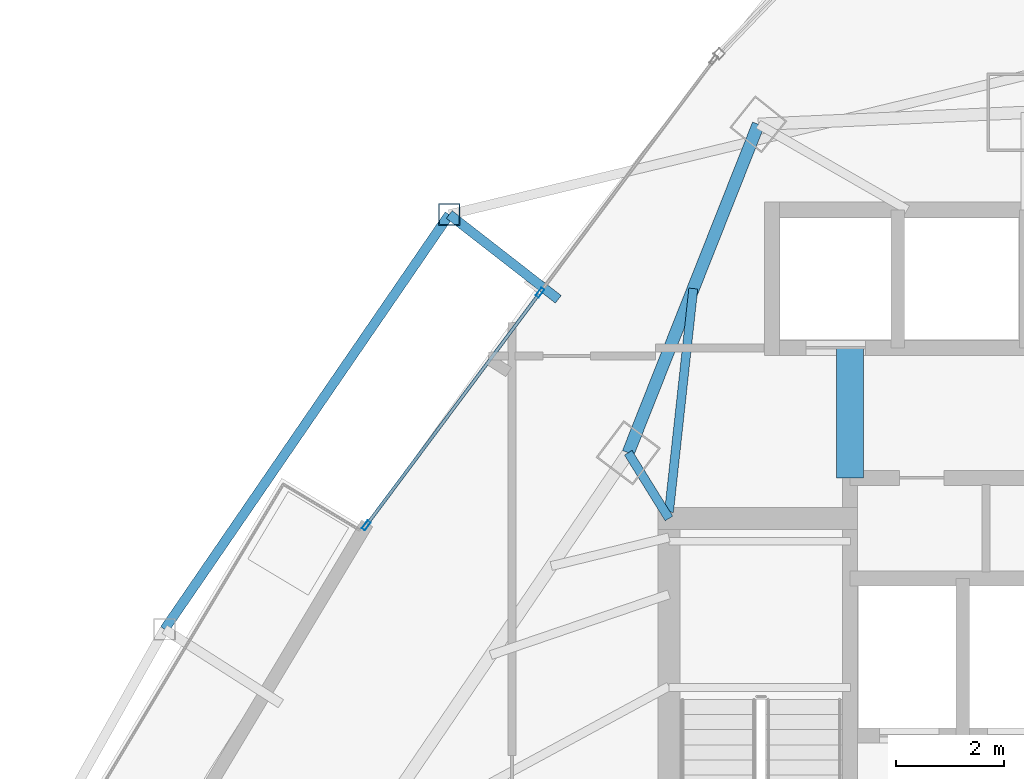
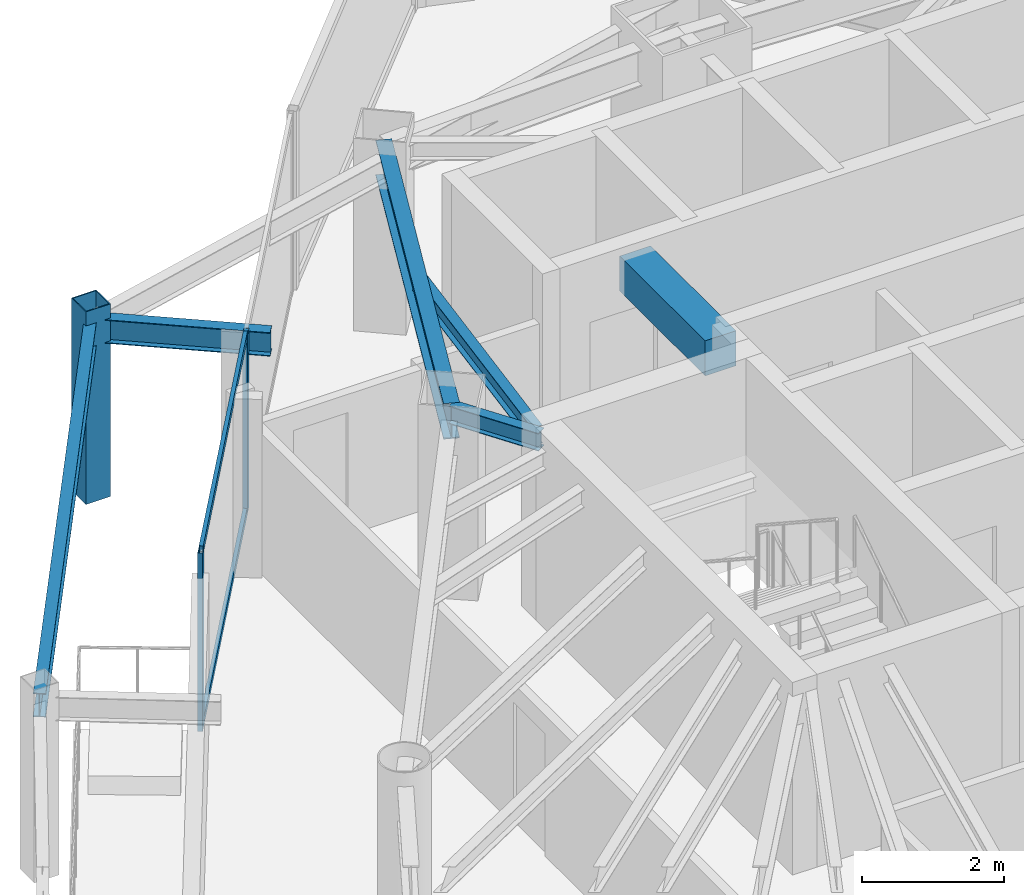
# One storey, part 19 of 29: 6 beams, 5 members, 1 element without a shape of its own.
"""IFC4 building model written with IfcOpenShell, lengths in metres."""

import ifcopenshell
import ifcopenshell.guid

model = None  # the IFC model being written
_history = None  # IfcOwnerHistory: only IFC2X3 demands one
_inside = {}  # id of a spatial element -> (the spatial element, [elements in it])
_under = {}  # id of a project, library or spatial element -> (it, [spatial elements below it])
_declared = {}  # id of a project -> (the project, [libraries it declares])
_typed = {}  # id of a type object -> (the type object, [elements of that type])
_made_of = {}  # id of a material, layer set ... -> (it, [elements and type objects made of it])


def new_model(schema):
    """Start an empty IFC model of exactly this schema.

    Asked for "IFC4X3", IfcOpenShell would pick the latest addendum, in which some entities
    have other attributes; the version numbers below select the first issue.
    IFC2X3 requires an IfcOwnerHistory on every rooted entity: one is made here for all.
    """
    global model, _history
    if schema == "IFC4X3":
        model = ifcopenshell.file(schema_version=(4, 3, 0, 0))
    else:
        model = ifcopenshell.file(schema=schema)
    _inside.clear()
    _under.clear()
    _declared.clear()
    _typed.clear()
    _made_of.clear()
    _history = None
    if model.schema == "IFC2X3":
        org = make("IfcOrganization", Name="unknown")
        user = make(
            "IfcPersonAndOrganization",
            ThePerson=make("IfcPerson", FamilyName="unknown"),
            TheOrganization=org,
        )
        app = make(
            "IfcApplication",
            ApplicationDeveloper=org,
            Version="unknown",
            ApplicationFullName="unknown",
            ApplicationIdentifier="unknown",
        )
        _history = make(
            "IfcOwnerHistory",
            OwningUser=user,
            OwningApplication=app,
            ChangeAction="ADDED",
            CreationDate=0,
        )
    return model


def make(cls, **values):
    """One entity of the class cls with the attributes given. An attribute that is None is left unset."""
    return model.create_entity(
        cls, **{name: value for name, value in values.items() if value is not None}
    )


def rooted(cls, **values):
    """An entity with a GlobalId (a new one), such as an element, a storey or a relation."""
    return make(cls, GlobalId=ifcopenshell.guid.new(), OwnerHistory=_history, **values)


def si_unit(unit_type, name, prefix=None):
    """IfcSIUnit, for example si_unit("LENGTHUNIT", "METRE", prefix="MILLI")."""
    return make("IfcSIUnit", UnitType=unit_type, Prefix=prefix, Name=name)


def assignment(units):
    """IfcUnitAssignment: the units of a project."""
    return None if units is None else make("IfcUnitAssignment", Units=units)


def point(xyz):
    """IfcCartesianPoint."""
    return None if xyz is None else make("IfcCartesianPoint", Coordinates=xyz)


def direction(xyz):
    """IfcDirection."""
    return None if xyz is None else make("IfcDirection", DirectionRatios=xyz)


def frame(location, z_axis=None, x_axis=None):
    """IfcAxis2Placement3D, a coordinate frame: its origin and axes. An axis left out is left unset."""
    return make(
        "IfcAxis2Placement3D",
        Location=point(location),
        Axis=direction(z_axis),
        RefDirection=direction(x_axis),
    )


def frame_2d(location, x_axis=None):
    """IfcAxis2Placement2D, a coordinate frame in the plane: its origin and x axis."""
    return make(
        "IfcAxis2Placement2D", Location=point(location), RefDirection=direction(x_axis)
    )


def origin():
    """The frame at (0, 0, 0) with its axes left unset."""
    return frame((0.0, 0.0, 0.0))


def origin_2d():
    """The frame at (0, 0) in the plane with its x axis left unset."""
    return frame_2d((0.0, 0.0))


def place(relative_to, where):
    """IfcLocalPlacement: puts the frame where relative to a parent placement (None: the world)."""
    return make(
        "IfcLocalPlacement", PlacementRelTo=relative_to, RelativePlacement=where
    )


def context(
    kind, dimensions, precision=None, world=None, true_north=None, identifier=None
):
    """IfcGeometricRepresentationContext, for example the 3D "Model" context."""
    return make(
        "IfcGeometricRepresentationContext",
        ContextIdentifier=identifier,
        ContextType=kind,
        CoordinateSpaceDimension=dimensions,
        Precision=precision,
        WorldCoordinateSystem=world,
        TrueNorth=true_north,
    )


def subcontext(parent, identifier, kind, view, scale=None):
    """IfcGeometricRepresentationSubContext, for example "Body" below "Model"."""
    return make(
        "IfcGeometricRepresentationSubContext",
        ContextIdentifier=identifier,
        ContextType=kind,
        ParentContext=parent,
        TargetScale=scale,
        TargetView=view,
    )


def project(units=None, contexts=None):
    """IfcProject with its units and contexts."""
    return rooted(
        "IfcProject",
        Name="project",
        RepresentationContexts=contexts,
        UnitsInContext=assignment(units),
    )


def spatial(cls, under=None, at=None, **own):
    """A site, building, storey or space (cls), placed at a placement, below another one or the project."""
    s = rooted(cls, ObjectPlacement=at, **own)
    if under is not None:
        _under.setdefault(under.id(), (under, []))[1].append(s)
    return s


def profile(cls, at=None, kind="AREA", **sizes):
    """A parametric profile (cls). Its sizes go by their IFC names, for example OverallWidth=200.0."""
    return make(cls, ProfileType=kind, Position=at, **sizes)


def rectangle(**sizes):
    """IfcRectangleProfileDef."""
    return profile("IfcRectangleProfileDef", **sizes)


def hollow_rectangle(**sizes):
    """IfcRectangleHollowProfileDef."""
    return profile("IfcRectangleHollowProfileDef", **sizes)


def i_section(**sizes):
    """IfcIShapeProfileDef."""
    return profile("IfcIShapeProfileDef", **sizes)


def extrude(swept, where, along, depth):
    """IfcExtrudedAreaSolid: the profile swept, set in the frame where, extruded along a direction by depth."""
    return make(
        "IfcExtrudedAreaSolid",
        SweptArea=swept,
        Position=where,
        ExtrudedDirection=direction(along),
        Depth=depth,
    )


def shape(context_of_items, identifier, shape_type, items):
    """IfcShapeRepresentation: the items that make up one representation, for example the "Body"."""
    return make(
        "IfcShapeRepresentation",
        ContextOfItems=context_of_items,
        RepresentationIdentifier=identifier,
        RepresentationType=shape_type,
        Items=items,
    )


def material(Name=None, Category=None):
    """IfcMaterial."""
    return make("IfcMaterial", Name=Name, Category=Category)


def layer(
    of_material, thickness, ventilated=None, Name=None, Category=None, Priority=None
):
    """IfcMaterialLayer: one layer of a wall or slab, of a material (None: an air gap)."""
    return make(
        "IfcMaterialLayer",
        Material=of_material,
        LayerThickness=thickness,
        IsVentilated=ventilated,
        Name=Name,
        Category=Category,
        Priority=Priority,
    )


def layer_set(layers, Name=None):
    """IfcMaterialLayerSet."""
    return make("IfcMaterialLayerSet", MaterialLayers=layers, LayerSetName=Name)


def material_profile(
    of_material, cross_section, Name=None, Category=None, Priority=None
):
    """IfcMaterialProfile: a cross section and its material."""
    return make(
        "IfcMaterialProfile",
        Name=Name,
        Material=of_material,
        Profile=cross_section,
        Priority=Priority,
        Category=Category,
    )


def profile_set(profiles, Name=None, composite=None):
    """IfcMaterialProfileSet."""
    return make(
        "IfcMaterialProfileSet",
        Name=Name,
        MaterialProfiles=profiles,
        CompositeProfile=composite,
    )


def made_of(thing, what):
    """Note that an element or type object is made of a material, layer set ...; save() writes the relation."""
    if what is not None:
        _made_of.setdefault(what.id(), (what, []))[1].append(thing)
    return thing


def type_object(cls, material=None, **own):
    """A type object (cls), such as IfcWallType, which elements share."""
    return made_of(rooted(cls, **own), material)


def element(
    cls,
    number,
    at=None,
    inside=None,
    cuts=None,
    type_object=None,
    material=None,
    context=None,
    identifier="Body",
    shape_type=None,
    held_by="IfcProductDefinitionShape",
    body=None,
    shapes=None,
    **own,
):
    """One element of the class cls, such as IfcWall. Its Tag is "e" and its number.

    at: its placement. inside: the storey or other place that contains it. cuts: it is an
    opening in that element (IfcRelVoidsElement). A single representation is given by context,
    identifier, shape_type and body (its items); several are given by shapes. held_by: the class
    of the entity that holds the representations. save() writes the other relations.
    """
    e = rooted(cls, Tag="e%d" % number, ObjectPlacement=at, **own)
    if body is not None:
        shapes = [shape(context, identifier, shape_type, body)]
    if shapes is not None:
        e.Representation = make(held_by, Representations=shapes)
    if inside is not None:
        _inside.setdefault(inside.id(), (inside, []))[1].append(e)
    if cuts is not None:
        rooted(
            "IfcRelVoidsElement", RelatingBuildingElement=cuts, RelatedOpeningElement=e
        )
    if type_object is not None:
        _typed.setdefault(type_object.id(), (type_object, []))[1].append(e)
    return made_of(e, material)


def aggregate(whole, parts):
    """IfcRelAggregates: a whole, such as a stair, and the parts it consists of."""
    return rooted("IfcRelAggregates", RelatingObject=whole, RelatedObjects=parts)


def save(model, path):
    """Write the relations noted so far, then the file.

    IfcRelAggregates (storeys below a building ...), IfcRelContainedInSpatialStructure (elements
    in a storey), IfcRelDefinesByType, IfcRelAssociatesMaterial and IfcRelDeclares: one each for
    every whole, place, type object, material and project.
    """
    for whole, parts in _under.values():
        aggregate(whole, parts)
    for where, things in _inside.values():
        rooted(
            "IfcRelContainedInSpatialStructure",
            RelatedElements=things,
            RelatingStructure=where,
        )
    for kind, things in _typed.values():
        rooted("IfcRelDefinesByType", RelatedObjects=things, RelatingType=kind)
    for what, things in _made_of.values():
        rooted("IfcRelAssociatesMaterial", RelatedObjects=things, RelatingMaterial=what)
    for by, libraries in _declared.values():
        rooted("IfcRelDeclares", RelatingContext=by, RelatedDefinitions=libraries)
    model.write(path)


model = new_model("IFC4")

# Units and contexts
model_context = context("Model", 3, precision=1e-05, world=origin(), true_north=direction((0.0, 1.0)))
body_context = subcontext(model_context, "Body", "Model", "MODEL_VIEW")
ifc_project = project(units=[si_unit("LENGTHUNIT", "METRE"), si_unit("AREAUNIT", "SQUARE_METRE"), si_unit("VOLUMEUNIT", "CUBIC_METRE"), si_unit("PLANEANGLEUNIT", "RADIAN"), si_unit("MASSUNIT", "GRAM", prefix="KILO")], contexts=[model_context])

# Site, building, storey
site_placement = place(None, origin())
site = spatial("IfcSite", under=ifc_project, at=site_placement, CompositionType="ELEMENT")
building_placement = place(site_placement, origin())
building = spatial("IfcBuilding", under=site, at=building_placement, Name="Orvanel Arch Residences", CompositionType="ELEMENT")
storey_placement = place(building_placement, frame((0.0, 0.0, 170.449951171875)))
storey = spatial("IfcBuildingStorey", under=building, at=storey_placement, Name="L48", CompositionType="ELEMENT", Elevation=170.449951171875)

# Beams
ifc_material_1 = material(Name="Structural steel AS/NZS 3679.1 Grade 300 (300 MPa)", Category="steel")
ifc_material_profile_1 = material_profile(ifc_material_1, i_section(OverallWidth=0.1650390625, OverallDepth=0.303955078125, WebThickness=0.006103515625, FlangeThickness=0.01025390625, at=origin_2d()), Name="310UB40.4")
ifc_profile_set_1 = profile_set([ifc_material_profile_1], Name="Structural steel AS/NZS 3679.1 Grade 300 (300 MPa)")
beam_type_1 = type_object("IfcBeamType", Name="BJ-310UB", PredefinedType="JOIST", material=ifc_profile_set_1)
beam_1_placement = place(storey_placement, frame((26.39990234375, 33.89990234375, 2.907958984375), z_axis=(-0.526843290616, 0.84996243866, 0.0), x_axis=(-0.84996243866, -0.526843290616, 0.0)))
element("IfcBeam", 1, at=beam_1_placement, inside=storey, type_object=beam_type_1, Name="L48 NNW Wing Floor Joist", PredefinedType="JOIST", context=body_context, shape_type="SweptSolid", body=[
    extrude(i_section(OverallWidth=0.1650390625, OverallDepth=0.303955078125, WebThickness=0.006103515625, FlangeThickness=0.01025390625, at=origin_2d()), origin(), (0.0, 0.0, 1.0), 1.42724609375),
])
beam_2_placement = place(storey_placement, frame((26.39990234375, 34.02001953125, 2.907958984375), z_axis=(0.108261441852, 0.99412245735, 0.0), x_axis=(-0.99412245735, 0.108261441852, 0.0)))
element("IfcBeam", 2, at=beam_2_placement, inside=storey, type_object=beam_type_1, Name="L48 NNW2 Wing Floor Joist", PredefinedType="JOIST", context=body_context, shape_type="SweptSolid", body=[
    extrude(i_section(OverallWidth=0.1650390625, OverallDepth=0.303955078125, WebThickness=0.006103515625, FlangeThickness=0.01025390625, at=origin_2d()), origin(), (0.0, 0.0, 1.0), 4.1494140625),
])
ifc_material_2 = material(Name="Concrete S65 (65 MPa)", Category="concrete")
ifc_material_profile_2 = material_profile(ifc_material_2, rectangle(XDim=0.5, YDim=0.60009765625, at=origin_2d()), Name="RC500x600")
ifc_profile_set_2 = profile_set([ifc_material_profile_2], Name="Concrete S65 (65 MPa)")
beam_type_2 = type_object("IfcBeamType", Name="CB-500x600", PredefinedType="LINTEL", material=ifc_profile_set_2)
beam_3_placement = place(storey_placement, frame((29.739990234375, 34.64990234375, 2.760009765625), z_axis=(0.0, 1.0, 0.0), x_axis=(-1.0, 0.0, 0.0)))
element("IfcBeam", 3, at=beam_3_placement, inside=storey, type_object=beam_type_2, Name="L48 West Core Lobby Coupling Lintel Beam", PredefinedType="LINTEL", context=body_context, shape_type="SweptSolid", body=[
    extrude(rectangle(XDim=0.5, YDim=0.60009765625, at=origin_2d()), origin(), (0.0, 0.0, 1.0), 2.400146484375),
])

# Curtain wall, members
ifc_material_3 = material(Name="Bronze-anodised aluminium AA6063-T6", Category="aluminium")
ifc_layer = layer(ifc_material_3, 0.179931640625)
ifc_layer_set = layer_set([ifc_layer], Name="Bronze-anodised aluminium AA6063-T6")
curtain_wall_type = type_object("IfcCurtainWallType", Name="CW3-MID-SYS", PredefinedType="NOTDEFINED", material=ifc_layer_set)
curtain_wall_placement = place(storey_placement, origin())
curtain_wall = element("IfcCurtainWall", 4, at=curtain_wall_placement, inside=storey, type_object=curtain_wall_type, Name="L48 CW3-MID-SYS Unitised Curtain Wall", PredefinedType="NOTDEFINED")
ifc_material_profile_3 = material_profile(ifc_material_3, hollow_rectangle(XDim=0.070068359375, YDim=0.179931640625, WallThickness=0.00439453125, at=origin_2d()), Name="ALU180x70x4.5")
ifc_profile_set_3 = profile_set([ifc_material_profile_3], Name="Bronze-anodised aluminium AA6063-T6")
member_type_1 = type_object("IfcMemberType", Name="MUL-180x70", PredefinedType="MULLION", material=ifc_profile_set_3)
member_1_placement = place(storey_placement, frame((24.01806640625, 38.069091796875, 0.0), z_axis=(0.0, 0.0, 1.0), x_axis=(0.801287325771, -0.598279718492, 0.0)))
member_1 = element("IfcMember", 5, at=member_1_placement, type_object=member_type_1, Name="CW-S3 mullion 2", PredefinedType="MULLION", context=body_context, shape_type="SweptSolid", body=[
    extrude(hollow_rectangle(XDim=0.070068359375, YDim=0.179931640625, WallThickness=0.00439453125, at=origin_2d()), origin(), (0.0, 0.0, 1.0), 3.06005859375),
])
member_2_placement = place(storey_placement, frame((20.808837890625, 33.77099609375, 0.0), z_axis=(0.0, 0.0, 1.0), x_axis=(0.801287325771, -0.598279718492, 0.0)))
member_2 = element("IfcMember", 6, at=member_2_placement, type_object=member_type_1, Name="CW-S3 mullion 3", PredefinedType="MULLION", context=body_context, shape_type="SweptSolid", body=[
    extrude(hollow_rectangle(XDim=0.070068359375, YDim=0.179931640625, WallThickness=0.00439453125, at=origin_2d()), origin(), (0.0, 0.0, 1.0), 3.06005859375),
])

# Beams
ifc_material_profile_4 = material_profile(ifc_material_1, i_section(OverallWidth=0.177978515625, OverallDepth=0.406005859375, WebThickness=0.0078125, FlangeThickness=0.0126953125, at=origin_2d()), Name="410UB59.7")
ifc_profile_set_4 = profile_set([ifc_material_profile_4], Name="Structural steel AS/NZS 3679.1 Grade 300 (300 MPa)")
beam_type_3 = type_object("IfcBeamType", Name="OB-410UB-EXT", PredefinedType="SPANDREL", material=ifc_profile_set_4)
beam_4_placement = place(storey_placement, frame((24.35595703125, 37.946044921875, 2.85693359375), z_axis=(-0.789295512275, 0.614013513127, 0.0), x_axis=(-0.614013513127, -0.789295512275, 0.0)))
element("IfcBeam", 7, at=beam_4_placement, inside=storey, type_object=beam_type_3, Name="L48 Outer Frame Radial Tie Beam 01", PredefinedType="SPANDREL", context=body_context, shape_type="SweptSolid", body=[
    extrude(i_section(OverallWidth=0.177978515625, OverallDepth=0.406005859375, WebThickness=0.0078125, FlangeThickness=0.0126953125, at=origin_2d()), origin(), (0.0, 0.0, 1.0), 2.55029296875),
])
beam_5_placement = place(storey_placement, frame((22.343017578125, 39.511962890625, 2.85693359375), z_axis=(-0.565911858994, -0.824465746923, 0.0), x_axis=(0.824465746923, -0.565911858994, 0.0)))
element("IfcBeam", 8, at=beam_5_placement, inside=storey, type_object=beam_type_3, Name="L48 Outer Perimeter Floor Ring Beam 01", PredefinedType="SPANDREL", context=body_context, shape_type="SweptSolid", body=[
    extrude(i_section(OverallWidth=0.177978515625, OverallDepth=0.406005859375, WebThickness=0.0078125, FlangeThickness=0.0126953125, at=origin_2d()), origin(), (0.0, 0.0, 1.0), 9.28955078125),
])
ifc_material_profile_5 = material_profile(ifc_material_1, i_section(OverallWidth=0.22900390625, OverallDepth=0.612060546875, WebThickness=0.011962890625, FlangeThickness=0.01953125, at=origin_2d()), Name="610UB125")
ifc_profile_set_5 = profile_set([ifc_material_profile_5], Name="Structural steel AS/NZS 3679.1 Grade 300 (300 MPa)")
beam_type_4 = type_object("IfcBeamType", Name="SP-610UB", PredefinedType="SPANDREL", material=ifc_profile_set_5)
beam_6_placement = place(storey_placement, frame((28.050048828125, 41.177978515625, 2.754150390625), z_axis=(-0.368233143579, -0.929733484376, 0.0), x_axis=(0.929733484376, -0.368233143579, 0.0)))
element("IfcBeam", 9, at=beam_6_placement, inside=storey, type_object=beam_type_4, Name="L48 Perimeter Spandrel Beam 16", PredefinedType="SPANDREL", context=body_context, shape_type="SweptSolid", body=[
    extrude(i_section(OverallWidth=0.22900390625, OverallDepth=0.612060546875, WebThickness=0.011962890625, FlangeThickness=0.01953125, at=origin_2d()), origin(), (0.0, 0.0, 1.0), 6.523193359375),
])

# Member
ifc_material_4 = material(Name="Structural steel AS/NZS 1163 C450L0 (Grade 450)", Category="steel")
ifc_material_profile_6 = material_profile(ifc_material_4, hollow_rectangle(XDim=0.39990234375, YDim=0.39990234375, WallThickness=0.01611328125, at=origin_2d()), Name="SHS400x400x16")
ifc_profile_set_6 = profile_set([ifc_material_profile_6], Name="Structural steel AS/NZS 1163 C450L0 (Grade 450)")
member_type_2 = type_object("IfcMemberType", Name="ST-400SHS-EXT", PredefinedType="STRUT", material=ifc_profile_set_6)
member_3_placement = place(storey_placement, frame((22.343017578125, 39.511962890625, 0.0), z_axis=(0.0, 0.0, 1.0), x_axis=(1.0, 0.0, 0.0)))
element("IfcMember", 10, at=member_3_placement, inside=storey, type_object=member_type_2, Name="L48 Outer Perimeter Frame Post 01", PredefinedType="STRUT", context=body_context, shape_type="SweptSolid", body=[
    extrude(hollow_rectangle(XDim=0.39990234375, YDim=0.39990234375, WallThickness=0.01611328125, at=origin_2d()), origin(), (0.0, 0.0, 1.0), 3.300048828125),
])

ifc_material_profile_7 = material_profile(ifc_material_3, hollow_rectangle(XDim=0.06005859375, YDim=0.135009765625, WallThickness=0.00390625, at=origin_2d()), Name="ALU135x60x4")
ifc_profile_set_7 = profile_set([ifc_material_profile_7], Name="Bronze-anodised aluminium AA6063-T6")
member_type_3 = type_object("IfcMemberType", Name="TRN-135x60", PredefinedType="USERDEFINED", material=ifc_profile_set_7)
member_4_placement = place(storey_placement, frame((23.9970703125, 38.041015625, 0.030029296875), z_axis=(-0.598279362575, -0.801287591516, 0.0), x_axis=(0.801287591516, -0.598279362575, 0.0)))
member_4 = element("IfcMember", 11, at=member_4_placement, type_object=member_type_3, Name="CW-S3 transom 2.1", ObjectType="TRANSOM", PredefinedType="USERDEFINED", context=body_context, shape_type="SweptSolid", body=[
    extrude(hollow_rectangle(XDim=0.06005859375, YDim=0.135009765625, WallThickness=0.00390625, at=origin_2d()), origin(), (0.0, 0.0, 1.0), 5.2939453125),
])

member_5_placement = place(storey_placement, frame((23.9970703125, 38.041015625, 3.030029296875), z_axis=(-0.598279362575, -0.801287591516, 0.0), x_axis=(0.801287591516, -0.598279362575, 0.0)))
member_5 = element("IfcMember", 12, at=member_5_placement, type_object=member_type_3, Name="CW-S3 transom 2.2", ObjectType="TRANSOM", PredefinedType="USERDEFINED", context=body_context, shape_type="SweptSolid", body=[
    extrude(hollow_rectangle(XDim=0.06005859375, YDim=0.135009765625, WallThickness=0.00390625, at=origin_2d()), origin(), (0.0, 0.0, 1.0), 5.2939453125),
])

aggregate(curtain_wall, [member_1, member_2, member_4, member_5])

save(model, "model.ifc")
